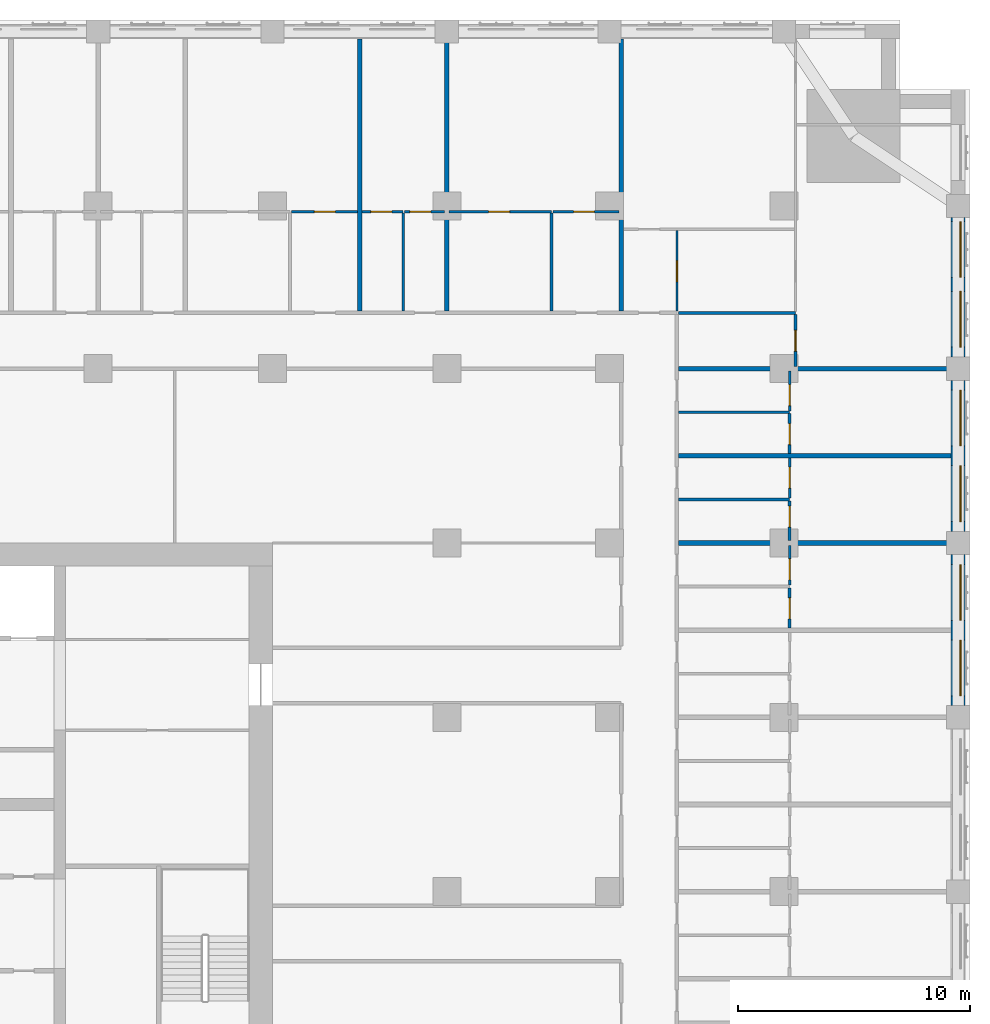
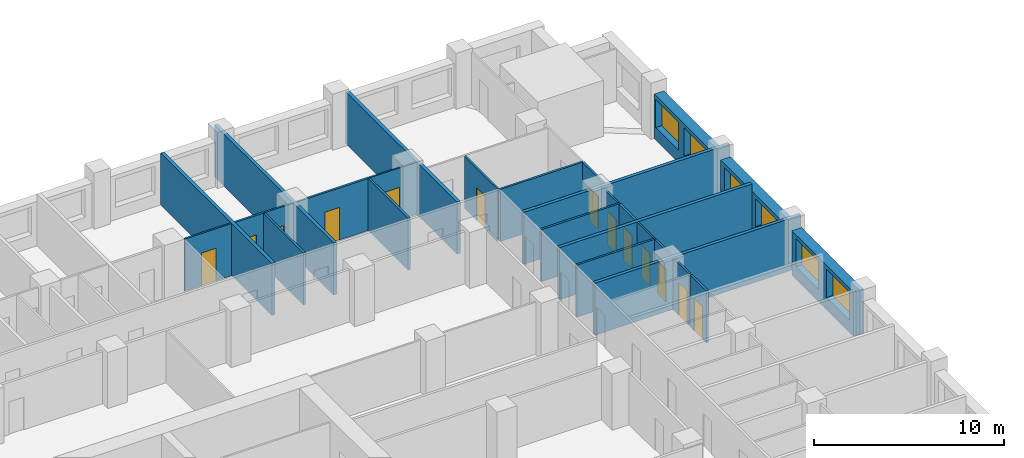
# One storey, part 11 of 15: 27 walls, 13 doors, 6 windows, 19 openings.
"""IFC4 building model written with IfcOpenShell, lengths in metres."""

from ifc_helpers import new_model, si_unit, direction, frame, frame_2d, origin, place, context, subcontext, project, spatial, rectangle, extrude, material, layer, layer_set, type_object, element, fill, save


model = new_model("IFC4")

# Units and contexts
model_context = context("Model", 3, precision=1e-05, world=origin(), true_north=direction((0.0, 1.0)))
body_context = subcontext(model_context, "Body", "Model", "MODEL_VIEW")
ifc_project = project(units=[si_unit("LENGTHUNIT", "METRE"), si_unit("AREAUNIT", "SQUARE_METRE"), si_unit("VOLUMEUNIT", "CUBIC_METRE"), si_unit("PLANEANGLEUNIT", "RADIAN"), si_unit("MASSUNIT", "GRAM", prefix="KILO")], contexts=[model_context])

# Site, building, storey
site_placement = place(None, origin())
site = spatial("IfcSite", under=ifc_project, at=site_placement, CompositionType="ELEMENT")
building_placement = place(site_placement, origin())
building = spatial("IfcBuilding", under=site, at=building_placement, Name="Tamorin Gate", CompositionType="ELEMENT")
storey_placement = place(building_placement, frame((0.0, 0.0, 48.39990234375)))
storey = spatial("IfcBuildingStorey", under=building, at=storey_placement, Name="L10", CompositionType="ELEMENT", Elevation=48.39990234375)

# Wall, openings, windows
ifc_material_1 = material(Name="Precast concrete C40/50", Category="concrete")
ifc_layer_1 = layer(ifc_material_1, 0.60009765625)
ifc_layer_set_1 = layer_set([ifc_layer_1], Name="Precast concrete C40/50")
wall_type_1 = type_object("IfcWallType", Name="Board-marked concrete facade panel 600", PredefinedType="SOLIDWALL", material=ifc_layer_set_1)
wall_1_placement = place(storey_placement, frame((89.5, 75.5, 0.0), z_axis=(0.0, 0.0, 1.0), x_axis=(0.0, 1.0, 0.0)))
wall_1 = element("IfcWall", 1, at=wall_1_placement, inside=storey, type_object=wall_type_1, Name="Facade panel", PredefinedType="SOLIDWALL", context=body_context, shape_type="SweptSolid", body=[
    extrude(rectangle(XDim=6.5, YDim=0.60009765625, at=frame_2d((3.25, 0.0))), origin(), (0.0, 0.0, 1.0), 2.85009765625),
])
opening_1_placement = place(wall_1_placement, frame((0.425048828125, 0.0, 0.800048828125)))
opening_1 = element("IfcOpeningElement", 2, at=opening_1_placement, cuts=wall_1, Name="Opening WN1", PredefinedType="OPENING", context=body_context, shape_type="SweptSolid", body=[
    extrude(rectangle(XDim=2.39990234375, YDim=1.800048828125, at=frame_2d((1.199951171875, 0.89990234375))), frame((0.0, 0.31005859375, 0.0), z_axis=(0.0, -1.0, 0.0), x_axis=(1.0, 0.0, 0.0)), (0.0, 0.0, 1.0), 0.6201171875),
])
opening_2_placement = place(wall_1_placement, frame((3.675048828125, 0.0, 0.800048828125)))
opening_2 = element("IfcOpeningElement", 3, at=opening_2_placement, cuts=wall_1, Name="Opening WN1", PredefinedType="OPENING", context=body_context, shape_type="SweptSolid", body=[
    extrude(rectangle(XDim=2.39990234375, YDim=1.800048828125, at=frame_2d((1.199951171875, 0.89990234375))), frame((0.0, 0.31005859375, 0.0), z_axis=(0.0, -1.0, 0.0), x_axis=(1.0, 0.0, 0.0)), (0.0, 0.0, 1.0), 0.6201171875),
])
ifc_material_2 = material(Name="Clear glass in aluminium frame", Category="aluminium")
window_type = type_object("IfcWindowType", Name="Deep-set window 2400x1800", PartitioningType="SINGLE_PANEL", PredefinedType="WINDOW", material=ifc_material_2)
window_1_placement = place(opening_1_placement, origin())
window_1 = element("IfcWindow", 4, at=window_1_placement, inside=storey, type_object=window_type, Name="Deep-set window", OverallHeight=1.800048828125, OverallWidth=2.39990234375, PartitioningType="SINGLE_PANEL", PredefinedType="WINDOW", context=body_context, shape_type="SweptSolid", body=[
    extrude(rectangle(XDim=2.39990234375, YDim=1.800048828125, at=frame_2d((1.199951171875, 0.89990234375))), frame((0.0, -0.070068359375, 0.0), z_axis=(0.0, -1.0, 0.0), x_axis=(1.0, 0.0, 0.0)), (0.0, 0.0, 1.0), 0.06005859375),
])
fill(opening_1, window_1)
window_2_placement = place(opening_2_placement, origin())
window_2 = element("IfcWindow", 5, at=window_2_placement, inside=storey, type_object=window_type, Name="Deep-set window", OverallHeight=1.800048828125, OverallWidth=2.39990234375, PartitioningType="SINGLE_PANEL", PredefinedType="WINDOW", context=body_context, shape_type="SweptSolid", body=[
    extrude(rectangle(XDim=2.39990234375, YDim=1.800048828125, at=frame_2d((1.199951171875, 0.89990234375))), frame((0.0, -0.070068359375, 0.0), z_axis=(0.0, -1.0, 0.0), x_axis=(1.0, 0.0, 0.0)), (0.0, 0.0, 1.0), 0.06005859375),
])
fill(opening_2, window_2)

wall_2_placement = place(storey_placement, frame((89.5, 83.0, 0.0), z_axis=(0.0, 0.0, 1.0), x_axis=(0.0, 1.0, 0.0)))
wall_2 = element("IfcWall", 6, at=wall_2_placement, inside=storey, type_object=wall_type_1, Name="Facade panel", PredefinedType="SOLIDWALL", context=body_context, shape_type="SweptSolid", body=[
    extrude(rectangle(XDim=6.5, YDim=0.60009765625, at=frame_2d((3.25, 0.0))), origin(), (0.0, 0.0, 1.0), 2.85009765625),
])
opening_3_placement = place(wall_2_placement, frame((0.425048828125, 0.0, 0.800048828125)))
opening_3 = element("IfcOpeningElement", 7, at=opening_3_placement, cuts=wall_2, Name="Opening WN1", PredefinedType="OPENING", context=body_context, shape_type="SweptSolid", body=[
    extrude(rectangle(XDim=2.39990234375, YDim=1.800048828125, at=frame_2d((1.199951171875, 0.89990234375))), frame((0.0, 0.31005859375, 0.0), z_axis=(0.0, -1.0, 0.0), x_axis=(1.0, 0.0, 0.0)), (0.0, 0.0, 1.0), 0.6201171875),
])
opening_4_placement = place(wall_2_placement, frame((3.675048828125, 0.0, 0.800048828125)))
opening_4 = element("IfcOpeningElement", 8, at=opening_4_placement, cuts=wall_2, Name="Opening WN1", PredefinedType="OPENING", context=body_context, shape_type="SweptSolid", body=[
    extrude(rectangle(XDim=2.39990234375, YDim=1.800048828125, at=frame_2d((1.199951171875, 0.89990234375))), frame((0.0, 0.31005859375, 0.0), z_axis=(0.0, -1.0, 0.0), x_axis=(1.0, 0.0, 0.0)), (0.0, 0.0, 1.0), 0.6201171875),
])
window_3_placement = place(opening_3_placement, origin())
window_3 = element("IfcWindow", 9, at=window_3_placement, inside=storey, type_object=window_type, Name="Deep-set window", OverallHeight=1.800048828125, OverallWidth=2.39990234375, PartitioningType="SINGLE_PANEL", PredefinedType="WINDOW", context=body_context, shape_type="SweptSolid", body=[
    extrude(rectangle(XDim=2.39990234375, YDim=1.800048828125, at=frame_2d((1.199951171875, 0.89990234375))), frame((0.0, -0.070068359375, 0.0), z_axis=(0.0, -1.0, 0.0), x_axis=(1.0, 0.0, 0.0)), (0.0, 0.0, 1.0), 0.06005859375),
])
fill(opening_3, window_3)
window_4_placement = place(opening_4_placement, origin())
window_4 = element("IfcWindow", 10, at=window_4_placement, inside=storey, type_object=window_type, Name="Deep-set window", OverallHeight=1.800048828125, OverallWidth=2.39990234375, PartitioningType="SINGLE_PANEL", PredefinedType="WINDOW", context=body_context, shape_type="SweptSolid", body=[
    extrude(rectangle(XDim=2.39990234375, YDim=1.800048828125, at=frame_2d((1.199951171875, 0.89990234375))), frame((0.0, -0.070068359375, 0.0), z_axis=(0.0, -1.0, 0.0), x_axis=(1.0, 0.0, 0.0)), (0.0, 0.0, 1.0), 0.06005859375),
])
fill(opening_4, window_4)

wall_3_placement = place(storey_placement, frame((89.5, 90.5, 0.0), z_axis=(0.0, 0.0, 1.0), x_axis=(0.0, 1.0, 0.0)))
wall_3 = element("IfcWall", 11, at=wall_3_placement, inside=storey, type_object=wall_type_1, Name="Facade panel", PredefinedType="SOLIDWALL", context=body_context, shape_type="SweptSolid", body=[
    extrude(rectangle(XDim=6.0, YDim=0.60009765625, at=frame_2d((3.0, 0.0))), origin(), (0.0, 0.0, 1.0), 2.85009765625),
])
opening_5_placement = place(wall_3_placement, frame((0.425048828125, 0.0, 0.800048828125)))
opening_5 = element("IfcOpeningElement", 12, at=opening_5_placement, cuts=wall_3, Name="Opening WN1", PredefinedType="OPENING", context=body_context, shape_type="SweptSolid", body=[
    extrude(rectangle(XDim=2.39990234375, YDim=1.800048828125, at=frame_2d((1.199951171875, 0.89990234375))), frame((0.0, 0.31005859375, 0.0), z_axis=(0.0, -1.0, 0.0), x_axis=(1.0, 0.0, 0.0)), (0.0, 0.0, 1.0), 0.6201171875),
])
opening_6_placement = place(wall_3_placement, frame((3.425048828125, 0.0, 0.800048828125)))
opening_6 = element("IfcOpeningElement", 13, at=opening_6_placement, cuts=wall_3, Name="Opening WN1", PredefinedType="OPENING", context=body_context, shape_type="SweptSolid", body=[
    extrude(rectangle(XDim=2.39990234375, YDim=1.800048828125, at=frame_2d((1.199951171875, 0.89990234375))), frame((0.0, 0.31005859375, 0.0), z_axis=(0.0, -1.0, 0.0), x_axis=(1.0, 0.0, 0.0)), (0.0, 0.0, 1.0), 0.6201171875),
])
window_5_placement = place(opening_5_placement, origin())
window_5 = element("IfcWindow", 14, at=window_5_placement, inside=storey, type_object=window_type, Name="Deep-set window", OverallHeight=1.800048828125, OverallWidth=2.39990234375, PartitioningType="SINGLE_PANEL", PredefinedType="WINDOW", context=body_context, shape_type="SweptSolid", body=[
    extrude(rectangle(XDim=2.39990234375, YDim=1.800048828125, at=frame_2d((1.199951171875, 0.89990234375))), frame((0.0, -0.070068359375, 0.0), z_axis=(0.0, -1.0, 0.0), x_axis=(1.0, 0.0, 0.0)), (0.0, 0.0, 1.0), 0.06005859375),
])
fill(opening_5, window_5)
window_6_placement = place(opening_6_placement, origin())
window_6 = element("IfcWindow", 15, at=window_6_placement, inside=storey, type_object=window_type, Name="Deep-set window", OverallHeight=1.800048828125, OverallWidth=2.39990234375, PartitioningType="SINGLE_PANEL", PredefinedType="WINDOW", context=body_context, shape_type="SweptSolid", body=[
    extrude(rectangle(XDim=2.39990234375, YDim=1.800048828125, at=frame_2d((1.199951171875, 0.89990234375))), frame((0.0, -0.070068359375, 0.0), z_axis=(0.0, -1.0, 0.0), x_axis=(1.0, 0.0, 0.0)), (0.0, 0.0, 1.0), 0.06005859375),
])
fill(opening_6, window_6)

# Walls
ifc_material_3 = material(Name="Gypsum board partition")
ifc_layer_2 = layer(ifc_material_3, 0.199951171875)
ifc_layer_set_2 = layer_set([ifc_layer_2], Name="Demising wall 200")
wall_type_2 = type_object("IfcWallType", Name="Demising wall 200", PredefinedType="PARTITIONING", material=ifc_layer_set_2)
wall_4_placement = place(storey_placement, frame((77.47509765625, 82.5, 0.0), z_axis=(0.0, 0.0, 1.0), x_axis=(1.0, 0.0, 0.0)))
element("IfcWall", 16, at=wall_4_placement, inside=storey, type_object=wall_type_2, Name="Demising wall 200", PredefinedType="PARTITIONING", context=body_context, shape_type="SweptSolid", body=[
    extrude(rectangle(XDim=12.52490234375, YDim=0.199951171875, at=frame_2d((6.262451171875, 0.0))), origin(), (0.0, 0.0, 1.0), 3.35009765625),
])
wall_5_placement = place(storey_placement, frame((77.47509765625, 86.25, 0.0), z_axis=(0.0, 0.0, 1.0), x_axis=(1.0, 0.0, 0.0)))
element("IfcWall", 17, at=wall_5_placement, inside=storey, type_object=wall_type_2, Name="Demising wall 200", PredefinedType="PARTITIONING", context=body_context, shape_type="SweptSolid", body=[
    extrude(rectangle(XDim=11.71484375, YDim=0.199951171875, at=frame_2d((5.857421875, 0.0))), origin(), (0.0, 0.0, 1.0), 3.35009765625),
])
wall_6_placement = place(storey_placement, frame((77.47509765625, 90.0, 0.0), z_axis=(0.0, 0.0, 1.0), x_axis=(1.0, 0.0, 0.0)))
element("IfcWall", 18, at=wall_6_placement, inside=storey, type_object=wall_type_2, Name="Demising wall 200", PredefinedType="PARTITIONING", context=body_context, shape_type="SweptSolid", body=[
    extrude(rectangle(XDim=12.52490234375, YDim=0.199951171875, at=frame_2d((6.262451171875, 0.0))), origin(), (0.0, 0.0, 1.0), 3.35009765625),
])
wall_7_placement = place(storey_placement, frame((63.75, 92.47509765625, 0.0), z_axis=(0.0, 0.0, 1.0), x_axis=(0.0, 1.0, 0.0)))
element("IfcWall", 19, at=wall_7_placement, inside=storey, type_object=wall_type_2, Name="Demising wall 200", PredefinedType="PARTITIONING", context=body_context, shape_type="SweptSolid", body=[
    extrude(rectangle(XDim=11.71484375, YDim=0.199951171875, at=frame_2d((5.857421875, 0.0))), origin(), (0.0, 0.0, 1.0), 3.35009765625),
])
wall_8_placement = place(storey_placement, frame((67.5, 92.47509765625, 0.0), z_axis=(0.0, 0.0, 1.0), x_axis=(0.0, 1.0, 0.0)))
element("IfcWall", 20, at=wall_8_placement, inside=storey, type_object=wall_type_2, Name="Demising wall 200", PredefinedType="PARTITIONING", context=body_context, shape_type="SweptSolid", body=[
    extrude(rectangle(XDim=12.52490234375, YDim=0.199951171875, at=frame_2d((6.262451171875, 0.0))), origin(), (0.0, 0.0, 1.0), 3.35009765625),
])
wall_9_placement = place(storey_placement, frame((75.0, 92.47509765625, 0.0), z_axis=(0.0, 0.0, 1.0), x_axis=(0.0, 1.0, 0.0)))
element("IfcWall", 21, at=wall_9_placement, inside=storey, type_object=wall_type_2, Name="Demising wall 200", PredefinedType="PARTITIONING", context=body_context, shape_type="SweptSolid", body=[
    extrude(rectangle(XDim=11.71484375, YDim=0.199951171875, at=frame_2d((5.857421875, 0.0))), origin(), (0.0, 0.0, 1.0), 3.35009765625),
])

# Wall, opening, door
ifc_layer_3 = layer(ifc_material_3, 0.10009765625)
ifc_layer_set_3 = layer_set([ifc_layer_3], Name="Room partition 100")
wall_type_3 = type_object("IfcWallType", Name="Room partition 100", PredefinedType="PARTITIONING", material=ifc_layer_set_3)
wall_10_placement = place(storey_placement, frame((60.8125, 96.75, 0.0), z_axis=(0.0, 0.0, 1.0), x_axis=(1.0, 0.0, 0.0)))
wall_10 = element("IfcWall", 22, at=wall_10_placement, inside=storey, type_object=wall_type_3, Name="Room partition 100", PredefinedType="PARTITIONING", context=body_context, shape_type="SweptSolid", body=[
    extrude(rectangle(XDim=2.83740234375, YDim=0.10009765625, at=frame_2d((1.418701171875, 0.0))), origin(), (0.0, 0.0, 1.0), 3.35009765625),
])
opening_7_placement = place(wall_10_placement, frame((0.987548828125, 0.0, 0.0)))
opening_7 = element("IfcOpeningElement", 23, at=opening_7_placement, cuts=wall_10, Name="Opening DH1044", PredefinedType="OPENING", context=body_context, shape_type="SweptSolid", body=[
    extrude(rectangle(XDim=0.89990234375, YDim=2.10009765625, at=frame_2d((0.449951171875, 1.050048828125))), frame((0.0, 0.06005859375, 0.0), z_axis=(0.0, -1.0, 0.0), x_axis=(1.0, 0.0, 0.0)), (0.0, 0.0, 1.0), 0.1201171875),
])
ifc_material_4 = material(Name="Timber door leaf", Category="wood")
door_type = type_object("IfcDoorType", Name="Door 900 x 2100", OperationType="NOTDEFINED", PredefinedType="DOOR", material=ifc_material_4)
door_1_placement = place(opening_7_placement, origin())
door_1 = element("IfcDoor", 24, at=door_1_placement, inside=storey, type_object=door_type, Name="Door DH1044", OperationType="SINGLE_SWING_RIGHT", OverallHeight=2.10009765625, OverallWidth=0.89990234375, PredefinedType="DOOR", context=body_context, shape_type="SweptSolid", body=[
    extrude(rectangle(XDim=0.89990234375, YDim=2.10009765625, at=frame_2d((0.449951171875, 1.050048828125))), frame((0.0, 0.02490234375, 0.0), z_axis=(0.0, -1.0, 0.0), x_axis=(1.0, 0.0, 0.0)), (0.0, 0.0, 1.0), 0.050048828125),
])
fill(opening_7, door_1)

wall_11_placement = place(storey_placement, frame((65.6875, 96.75, 0.0), z_axis=(0.0, 0.0, 1.0), x_axis=(1.0, 0.0, 0.0)))
wall_11 = element("IfcWall", 25, at=wall_11_placement, inside=storey, type_object=wall_type_3, Name="Room partition 100", PredefinedType="PARTITIONING", context=body_context, shape_type="SweptSolid", body=[
    extrude(rectangle(XDim=1.71240234375, YDim=0.10009765625, at=frame_2d((0.856201171875, 0.0))), origin(), (0.0, 0.0, 1.0), 3.35009765625),
])
opening_8_placement = place(wall_11_placement, frame((0.22509765625, 0.0, 0.0)))
opening_8 = element("IfcOpeningElement", 26, at=opening_8_placement, cuts=wall_11, Name="Opening DH1047", PredefinedType="OPENING", context=body_context, shape_type="SweptSolid", body=[
    extrude(rectangle(XDim=0.89990234375, YDim=2.10009765625, at=frame_2d((0.449951171875, 1.050048828125))), frame((0.0, 0.06005859375, 0.0), z_axis=(0.0, -1.0, 0.0), x_axis=(1.0, 0.0, 0.0)), (0.0, 0.0, 1.0), 0.1201171875),
])
door_2_placement = place(opening_8_placement, origin())
door_2 = element("IfcDoor", 27, at=door_2_placement, inside=storey, type_object=door_type, Name="Door DH1047", OperationType="SINGLE_SWING_RIGHT", OverallHeight=2.10009765625, OverallWidth=0.89990234375, PredefinedType="DOOR", context=body_context, shape_type="SweptSolid", body=[
    extrude(rectangle(XDim=0.89990234375, YDim=2.10009765625, at=frame_2d((0.449951171875, 1.050048828125))), frame((0.0, 0.02490234375, 0.0), z_axis=(0.0, -1.0, 0.0), x_axis=(1.0, 0.0, 0.0)), (0.0, 0.0, 1.0), 0.050048828125),
])
fill(opening_8, door_2)

wall_12_placement = place(storey_placement, frame((72.0625, 96.75, 0.0), z_axis=(0.0, 0.0, 1.0), x_axis=(1.0, 0.0, 0.0)))
wall_12 = element("IfcWall", 28, at=wall_12_placement, inside=storey, type_object=wall_type_3, Name="Room partition 100", PredefinedType="PARTITIONING", context=body_context, shape_type="SweptSolid", body=[
    extrude(rectangle(XDim=2.83740234375, YDim=0.10009765625, at=frame_2d((1.418701171875, 0.0))), origin(), (0.0, 0.0, 1.0), 3.35009765625),
])
opening_9_placement = place(wall_12_placement, frame((0.887451171875, 0.0, 0.0)))
opening_9 = element("IfcOpeningElement", 29, at=opening_9_placement, cuts=wall_12, Name="Opening DH1050", PredefinedType="OPENING", context=body_context, shape_type="SweptSolid", body=[
    extrude(rectangle(XDim=0.89990234375, YDim=2.10009765625, at=frame_2d((0.449951171875, 1.050048828125))), frame((0.0, 0.06005859375, 0.0), z_axis=(0.0, -1.0, 0.0), x_axis=(1.0, 0.0, 0.0)), (0.0, 0.0, 1.0), 0.1201171875),
])
door_3_placement = place(opening_9_placement, origin())
door_3 = element("IfcDoor", 30, at=door_3_placement, inside=storey, type_object=door_type, Name="Door DH1050", OperationType="SINGLE_SWING_RIGHT", OverallHeight=2.10009765625, OverallWidth=0.89990234375, PredefinedType="DOOR", context=body_context, shape_type="SweptSolid", body=[
    extrude(rectangle(XDim=0.89990234375, YDim=2.10009765625, at=frame_2d((0.449951171875, 1.050048828125))), frame((0.0, 0.02490234375, 0.0), z_axis=(0.0, -1.0, 0.0), x_axis=(1.0, 0.0, 0.0)), (0.0, 0.0, 1.0), 0.050048828125),
])
fill(opening_9, door_3)

wall_13_placement = place(storey_placement, frame((77.39990234375, 92.47509765625, 0.0), z_axis=(0.0, 0.0, 1.0), x_axis=(0.0, 1.0, 0.0)))
wall_13 = element("IfcWall", 31, at=wall_13_placement, inside=storey, type_object=wall_type_3, Name="Room partition 100", PredefinedType="PARTITIONING", context=body_context, shape_type="SweptSolid", body=[
    extrude(rectangle(XDim=3.474853515625, YDim=0.10009765625, at=frame_2d((1.7373046875, 0.0))), origin(), (0.0, 0.0, 1.0), 3.35009765625),
])
opening_10_placement = place(wall_13_placement, frame((1.27490234375, 0.0, 0.0)))
opening_10 = element("IfcOpeningElement", 32, at=opening_10_placement, cuts=wall_13, Name="Opening DH1089", PredefinedType="OPENING", context=body_context, shape_type="SweptSolid", body=[
    extrude(rectangle(XDim=0.89990234375, YDim=2.10009765625, at=frame_2d((0.449951171875, 1.050048828125))), frame((0.0, 0.06005859375, 0.0), z_axis=(0.0, -1.0, 0.0), x_axis=(1.0, 0.0, 0.0)), (0.0, 0.0, 1.0), 0.1201171875),
])
door_4_placement = place(opening_10_placement, origin())
door_4 = element("IfcDoor", 33, at=door_4_placement, inside=storey, type_object=door_type, Name="Door DH1089", OperationType="SINGLE_SWING_RIGHT", OverallHeight=2.10009765625, OverallWidth=0.89990234375, PredefinedType="DOOR", context=body_context, shape_type="SweptSolid", body=[
    extrude(rectangle(XDim=0.89990234375, YDim=2.10009765625, at=frame_2d((0.449951171875, 1.050048828125))), frame((0.0, 0.02490234375, 0.0), z_axis=(0.0, -1.0, 0.0), x_axis=(1.0, 0.0, 0.0)), (0.0, 0.0, 1.0), 0.050048828125),
])
fill(opening_10, door_4)

wall_14_placement = place(storey_placement, frame((82.25, 80.6875, 0.0), z_axis=(0.0, 0.0, 1.0), x_axis=(0.0, 1.0, 0.0)))
wall_14 = element("IfcWall", 34, at=wall_14_placement, inside=storey, type_object=wall_type_3, Name="Room partition 100", PredefinedType="PARTITIONING", context=body_context, shape_type="SweptSolid", body=[
    extrude(rectangle(XDim=1.71240234375, YDim=0.10009765625, at=frame_2d((0.856201171875, 0.0))), origin(), (0.0, 0.0, 1.0), 3.35009765625),
])
opening_11_placement = place(wall_14_placement, frame((0.22509765625, 0.0, 0.0)))
opening_11 = element("IfcOpeningElement", 35, at=opening_11_placement, cuts=wall_14, Name="Opening DH1074", PredefinedType="OPENING", context=body_context, shape_type="SweptSolid", body=[
    extrude(rectangle(XDim=0.89990234375, YDim=2.10009765625, at=frame_2d((0.449951171875, 1.050048828125))), frame((0.0, 0.06005859375, 0.0), z_axis=(0.0, -1.0, 0.0), x_axis=(1.0, 0.0, 0.0)), (0.0, 0.0, 1.0), 0.1201171875),
])
door_5_placement = place(opening_11_placement, origin())
door_5 = element("IfcDoor", 36, at=door_5_placement, inside=storey, type_object=door_type, Name="Door DH1074", OperationType="SINGLE_SWING_LEFT", OverallHeight=2.10009765625, OverallWidth=0.89990234375, PredefinedType="DOOR", context=body_context, shape_type="SweptSolid", body=[
    extrude(rectangle(XDim=0.89990234375, YDim=2.10009765625, at=frame_2d((0.449951171875, 1.050048828125))), frame((0.0, 0.02490234375, 0.0), z_axis=(0.0, -1.0, 0.0), x_axis=(1.0, 0.0, 0.0)), (0.0, 0.0, 1.0), 0.050048828125),
])
fill(opening_11, door_5)

wall_15_placement = place(storey_placement, frame((82.25, 84.4375, 0.0), z_axis=(0.0, 0.0, 1.0), x_axis=(0.0, 1.0, 0.0)))
wall_15 = element("IfcWall", 37, at=wall_15_placement, inside=storey, type_object=wall_type_3, Name="Room partition 100", PredefinedType="PARTITIONING", context=body_context, shape_type="SweptSolid", body=[
    extrude(rectangle(XDim=1.71240234375, YDim=0.10009765625, at=frame_2d((0.856201171875, 0.0))), origin(), (0.0, 0.0, 1.0), 3.35009765625),
])
opening_12_placement = place(wall_15_placement, frame((0.425048828125, 0.0, 0.0)))
opening_12 = element("IfcOpeningElement", 38, at=opening_12_placement, cuts=wall_15, Name="Opening DH1077", PredefinedType="OPENING", context=body_context, shape_type="SweptSolid", body=[
    extrude(rectangle(XDim=0.89990234375, YDim=2.10009765625, at=frame_2d((0.449951171875, 1.050048828125))), frame((0.0, 0.06005859375, 0.0), z_axis=(0.0, -1.0, 0.0), x_axis=(1.0, 0.0, 0.0)), (0.0, 0.0, 1.0), 0.1201171875),
])
door_6_placement = place(opening_12_placement, origin())
door_6 = element("IfcDoor", 39, at=door_6_placement, inside=storey, type_object=door_type, Name="Door DH1077", OperationType="SINGLE_SWING_LEFT", OverallHeight=2.10009765625, OverallWidth=0.89990234375, PredefinedType="DOOR", context=body_context, shape_type="SweptSolid", body=[
    extrude(rectangle(XDim=0.89990234375, YDim=2.10009765625, at=frame_2d((0.449951171875, 1.050048828125))), frame((0.0, 0.02490234375, 0.0), z_axis=(0.0, -1.0, 0.0), x_axis=(1.0, 0.0, 0.0)), (0.0, 0.0, 1.0), 0.050048828125),
])
fill(opening_12, door_6)

wall_16_placement = place(storey_placement, frame((82.25, 88.1875, 0.0), z_axis=(0.0, 0.0, 1.0), x_axis=(0.0, 1.0, 0.0)))
wall_16 = element("IfcWall", 40, at=wall_16_placement, inside=storey, type_object=wall_type_3, Name="Room partition 100", PredefinedType="PARTITIONING", context=body_context, shape_type="SweptSolid", body=[
    extrude(rectangle(XDim=1.71240234375, YDim=0.10009765625, at=frame_2d((0.856201171875, 0.0))), origin(), (0.0, 0.0, 1.0), 3.35009765625),
])
opening_13_placement = place(wall_16_placement, frame((0.22509765625, 0.0, 0.0)))
opening_13 = element("IfcOpeningElement", 41, at=opening_13_placement, cuts=wall_16, Name="Opening DH1080", PredefinedType="OPENING", context=body_context, shape_type="SweptSolid", body=[
    extrude(rectangle(XDim=0.89990234375, YDim=2.10009765625, at=frame_2d((0.449951171875, 1.050048828125))), frame((0.0, 0.06005859375, 0.0), z_axis=(0.0, -1.0, 0.0), x_axis=(1.0, 0.0, 0.0)), (0.0, 0.0, 1.0), 0.1201171875),
])
door_7_placement = place(opening_13_placement, origin())
door_7 = element("IfcDoor", 42, at=door_7_placement, inside=storey, type_object=door_type, Name="Door DH1080", OperationType="SINGLE_SWING_LEFT", OverallHeight=2.10009765625, OverallWidth=0.89990234375, PredefinedType="DOOR", context=body_context, shape_type="SweptSolid", body=[
    extrude(rectangle(XDim=0.89990234375, YDim=2.10009765625, at=frame_2d((0.449951171875, 1.050048828125))), frame((0.0, 0.02490234375, 0.0), z_axis=(0.0, -1.0, 0.0), x_axis=(1.0, 0.0, 0.0)), (0.0, 0.0, 1.0), 0.050048828125),
])
fill(opening_13, door_7)

# Walls
ifc_layer_4 = layer(ifc_material_3, 0.125)
ifc_layer_set_4 = layer_set([ifc_layer_4], Name="Wet wall 125")
wall_type_4 = type_object("IfcWallType", Name="Wet wall 125", PredefinedType="PARTITIONING", material=ifc_layer_set_4)
for number, where, z_axis, x_axis, name in (
    (43, (77.47509765625, 84.375, 0.0), (0.0, 0.0, 1.0), (1.0, 0.0, 0.0), "Wet wall 125"),
    (44, (77.47509765625, 88.125, 0.0), (0.0, 0.0, 1.0), (1.0, 0.0, 0.0), "Wet wall 125"),
):
    element("IfcWall", number, at=place(storey_placement, frame(where, z_axis=z_axis, x_axis=x_axis)), inside=storey, type_object=wall_type_4, Name=name, PredefinedType="PARTITIONING", context=body_context, shape_type="SweptSolid", body=[
        extrude(rectangle(XDim=4.77490234375, YDim=0.125, at=frame_2d((2.387451171875, 0.0))), origin(), (0.0, 0.0, 1.0), 3.35009765625),
    ])
wall_17_placement = place(storey_placement, frame((77.47509765625, 92.39990234375, 0.0), z_axis=(0.0, 0.0, 1.0), x_axis=(1.0, 0.0, 0.0)))
element("IfcWall", 45, at=wall_17_placement, inside=storey, type_object=wall_type_4, Name="Wet wall 125", PredefinedType="PARTITIONING", context=body_context, shape_type="SweptSolid", body=[
    extrude(rectangle(XDim=5.02490234375, YDim=0.125, at=frame_2d((2.512451171875, 0.0))), origin(), (0.0, 0.0, 1.0), 3.35009765625),
])

# Wall, opening, door
wall_18_placement = place(storey_placement, frame((63.85009765625, 96.75, 0.0), z_axis=(0.0, 0.0, 1.0), x_axis=(1.0, 0.0, 0.0)))
wall_18 = element("IfcWall", 46, at=wall_18_placement, inside=storey, type_object=wall_type_4, Name="Wet wall 125", PredefinedType="PARTITIONING", context=body_context, shape_type="SweptSolid", body=[
    extrude(rectangle(XDim=1.77490234375, YDim=0.125, at=frame_2d((0.887451171875, 0.0))), origin(), (0.0, 0.0, 1.0), 3.35009765625),
])
opening_14_placement = place(wall_18_placement, frame((0.387451171875, 0.0, 0.0)))
opening_14 = element("IfcOpeningElement", 47, at=opening_14_placement, cuts=wall_18, Name="Opening DH1045", PredefinedType="OPENING", context=body_context, shape_type="SweptSolid", body=[
    extrude(rectangle(XDim=0.89990234375, YDim=2.10009765625, at=frame_2d((0.449951171875, 1.050048828125))), frame((0.0, 0.072509765625, 0.0), z_axis=(0.0, -1.0, 0.0), x_axis=(1.0, 0.0, 0.0)), (0.0, 0.0, 1.0), 0.14501953125),
])
door_8_placement = place(opening_14_placement, origin())
door_8 = element("IfcDoor", 48, at=door_8_placement, inside=storey, type_object=door_type, Name="Door DH1045", OperationType="SINGLE_SWING_RIGHT", OverallHeight=2.10009765625, OverallWidth=0.89990234375, PredefinedType="DOOR", context=body_context, shape_type="SweptSolid", body=[
    extrude(rectangle(XDim=0.89990234375, YDim=2.10009765625, at=frame_2d((0.449951171875, 1.050048828125))), frame((0.0, 0.02490234375, 0.0), z_axis=(0.0, -1.0, 0.0), x_axis=(1.0, 0.0, 0.0)), (0.0, 0.0, 1.0), 0.050048828125),
])
fill(opening_14, door_8)

wall_19_placement = place(storey_placement, frame((67.60009765625, 96.75, 0.0), z_axis=(0.0, 0.0, 1.0), x_axis=(1.0, 0.0, 0.0)))
wall_19 = element("IfcWall", 49, at=wall_19_placement, inside=storey, type_object=wall_type_4, Name="Wet wall 125", PredefinedType="PARTITIONING", context=body_context, shape_type="SweptSolid", body=[
    extrude(rectangle(XDim=4.39990234375, YDim=0.125, at=frame_2d((2.199951171875, 0.0))), origin(), (0.0, 0.0, 1.0), 3.35009765625),
])
opening_15_placement = place(wall_19_placement, frame((1.699951171875, 0.0, 0.0)))
opening_15 = element("IfcOpeningElement", 50, at=opening_15_placement, cuts=wall_19, Name="Opening DH1048", PredefinedType="OPENING", context=body_context, shape_type="SweptSolid", body=[
    extrude(rectangle(XDim=0.89990234375, YDim=2.10009765625, at=frame_2d((0.449951171875, 1.050048828125))), frame((0.0, 0.072509765625, 0.0), z_axis=(0.0, -1.0, 0.0), x_axis=(1.0, 0.0, 0.0)), (0.0, 0.0, 1.0), 0.14501953125),
])
door_9_placement = place(opening_15_placement, origin())
door_9 = element("IfcDoor", 51, at=door_9_placement, inside=storey, type_object=door_type, Name="Door DH1048", OperationType="SINGLE_SWING_RIGHT", OverallHeight=2.10009765625, OverallWidth=0.89990234375, PredefinedType="DOOR", context=body_context, shape_type="SweptSolid", body=[
    extrude(rectangle(XDim=0.89990234375, YDim=2.10009765625, at=frame_2d((0.449951171875, 1.050048828125))), frame((0.0, 0.02490234375, 0.0), z_axis=(0.0, -1.0, 0.0), x_axis=(1.0, 0.0, 0.0)), (0.0, 0.0, 1.0), 0.050048828125),
])
fill(opening_15, door_9)

# Walls
for number, where, z_axis, x_axis, name in (
    (52, (65.625, 92.47509765625, 0.0), (0.0, 0.0, 1.0), (0.0, 1.0, 0.0), "Wet wall 125"),
    (53, (72.0, 92.47509765625, 0.0), (0.0, 0.0, 1.0), (0.0, 1.0, 0.0), "Wet wall 125"),
):
    element("IfcWall", number, at=place(storey_placement, frame(where, z_axis=z_axis, x_axis=x_axis)), inside=storey, type_object=wall_type_4, Name=name, PredefinedType="PARTITIONING", context=body_context, shape_type="SweptSolid", body=[
        extrude(rectangle(XDim=4.21240234375, YDim=0.125, at=frame_2d((2.106201171875, 0.0))), origin(), (0.0, 0.0, 1.0), 3.35009765625),
    ])

# Wall, opening, door
wall_20_placement = place(storey_placement, frame((82.25, 78.85009765625, 0.0), z_axis=(0.0, 0.0, 1.0), x_axis=(0.0, 1.0, 0.0)))
wall_20 = element("IfcWall", 54, at=wall_20_placement, inside=storey, type_object=wall_type_4, Name="Wet wall 125", PredefinedType="PARTITIONING", context=body_context, shape_type="SweptSolid", body=[
    extrude(rectangle(XDim=1.71240234375, YDim=0.125, at=frame_2d((0.856201171875, 0.0))), origin(), (0.0, 0.0, 1.0), 3.35009765625),
])
opening_16_placement = place(wall_20_placement, frame((0.387451171875, 0.0, 0.0)))
opening_16 = element("IfcOpeningElement", 55, at=opening_16_placement, cuts=wall_20, Name="Opening DH1072", PredefinedType="OPENING", context=body_context, shape_type="SweptSolid", body=[
    extrude(rectangle(XDim=0.89990234375, YDim=2.10009765625, at=frame_2d((0.449951171875, 1.050048828125))), frame((0.0, 0.072509765625, 0.0), z_axis=(0.0, -1.0, 0.0), x_axis=(1.0, 0.0, 0.0)), (0.0, 0.0, 1.0), 0.14501953125),
])
door_10_placement = place(opening_16_placement, origin())
door_10 = element("IfcDoor", 56, at=door_10_placement, inside=storey, type_object=door_type, Name="Door DH1072", OperationType="SINGLE_SWING_LEFT", OverallHeight=2.10009765625, OverallWidth=0.89990234375, PredefinedType="DOOR", context=body_context, shape_type="SweptSolid", body=[
    extrude(rectangle(XDim=0.89990234375, YDim=2.10009765625, at=frame_2d((0.449951171875, 1.050048828125))), frame((0.0, 0.02490234375, 0.0), z_axis=(0.0, -1.0, 0.0), x_axis=(1.0, 0.0, 0.0)), (0.0, 0.0, 1.0), 0.050048828125),
])
fill(opening_16, door_10)

wall_21_placement = place(storey_placement, frame((82.25, 82.60009765625, 0.0), z_axis=(0.0, 0.0, 1.0), x_axis=(0.0, 1.0, 0.0)))
wall_21 = element("IfcWall", 57, at=wall_21_placement, inside=storey, type_object=wall_type_4, Name="Wet wall 125", PredefinedType="PARTITIONING", context=body_context, shape_type="SweptSolid", body=[
    extrude(rectangle(XDim=1.71240234375, YDim=0.125, at=frame_2d((0.856201171875, 0.0))), origin(), (0.0, 0.0, 1.0), 3.35009765625),
])
opening_17_placement = place(wall_21_placement, frame((0.58740234375, 0.0, 0.0)))
opening_17 = element("IfcOpeningElement", 58, at=opening_17_placement, cuts=wall_21, Name="Opening DH1075", PredefinedType="OPENING", context=body_context, shape_type="SweptSolid", body=[
    extrude(rectangle(XDim=0.89990234375, YDim=2.10009765625, at=frame_2d((0.449951171875, 1.050048828125))), frame((0.0, 0.072509765625, 0.0), z_axis=(0.0, -1.0, 0.0), x_axis=(1.0, 0.0, 0.0)), (0.0, 0.0, 1.0), 0.14501953125),
])
door_11_placement = place(opening_17_placement, origin())
door_11 = element("IfcDoor", 59, at=door_11_placement, inside=storey, type_object=door_type, Name="Door DH1075", OperationType="SINGLE_SWING_RIGHT", OverallHeight=2.10009765625, OverallWidth=0.89990234375, PredefinedType="DOOR", context=body_context, shape_type="SweptSolid", body=[
    extrude(rectangle(XDim=0.89990234375, YDim=2.10009765625, at=frame_2d((0.449951171875, 1.050048828125))), frame((0.0, 0.02490234375, 0.0), z_axis=(0.0, -1.0, 0.0), x_axis=(1.0, 0.0, 0.0)), (0.0, 0.0, 1.0), 0.050048828125),
])
fill(opening_17, door_11)

wall_22_placement = place(storey_placement, frame((82.25, 86.35009765625, 0.0), z_axis=(0.0, 0.0, 1.0), x_axis=(0.0, 1.0, 0.0)))
wall_22 = element("IfcWall", 60, at=wall_22_placement, inside=storey, type_object=wall_type_4, Name="Wet wall 125", PredefinedType="PARTITIONING", context=body_context, shape_type="SweptSolid", body=[
    extrude(rectangle(XDim=1.71240234375, YDim=0.125, at=frame_2d((0.856201171875, 0.0))), origin(), (0.0, 0.0, 1.0), 3.35009765625),
])
opening_18_placement = place(wall_22_placement, frame((0.387451171875, 0.0, 0.0)))
opening_18 = element("IfcOpeningElement", 61, at=opening_18_placement, cuts=wall_22, Name="Opening DH1078", PredefinedType="OPENING", context=body_context, shape_type="SweptSolid", body=[
    extrude(rectangle(XDim=0.89990234375, YDim=2.10009765625, at=frame_2d((0.449951171875, 1.050048828125))), frame((0.0, 0.072509765625, 0.0), z_axis=(0.0, -1.0, 0.0), x_axis=(1.0, 0.0, 0.0)), (0.0, 0.0, 1.0), 0.14501953125),
])
door_12_placement = place(opening_18_placement, origin())
door_12 = element("IfcDoor", 62, at=door_12_placement, inside=storey, type_object=door_type, Name="Door DH1078", OperationType="SINGLE_SWING_LEFT", OverallHeight=2.10009765625, OverallWidth=0.89990234375, PredefinedType="DOOR", context=body_context, shape_type="SweptSolid", body=[
    extrude(rectangle(XDim=0.89990234375, YDim=2.10009765625, at=frame_2d((0.449951171875, 1.050048828125))), frame((0.0, 0.02490234375, 0.0), z_axis=(0.0, -1.0, 0.0), x_axis=(1.0, 0.0, 0.0)), (0.0, 0.0, 1.0), 0.050048828125),
])
fill(opening_18, door_12)

wall_23_placement = place(storey_placement, frame((82.5, 90.10009765625, 0.0), z_axis=(0.0, 0.0, 1.0), x_axis=(0.0, 1.0, 0.0)))
wall_23 = element("IfcWall", 63, at=wall_23_placement, inside=storey, type_object=wall_type_4, Name="Wet wall 125", PredefinedType="PARTITIONING", context=body_context, shape_type="SweptSolid", body=[
    extrude(rectangle(XDim=2.2373046875, YDim=0.125, at=frame_2d((1.11865234375, 0.0))), origin(), (0.0, 0.0, 1.0), 3.35009765625),
])
opening_19_placement = place(wall_23_placement, frame((0.64990234375, 0.0, 0.0)))
opening_19 = element("IfcOpeningElement", 64, at=opening_19_placement, cuts=wall_23, Name="Opening DH1092", PredefinedType="OPENING", context=body_context, shape_type="SweptSolid", body=[
    extrude(rectangle(XDim=0.89990234375, YDim=2.10009765625, at=frame_2d((0.449951171875, 1.050048828125))), frame((0.0, 0.072509765625, 0.0), z_axis=(0.0, -1.0, 0.0), x_axis=(1.0, 0.0, 0.0)), (0.0, 0.0, 1.0), 0.14501953125),
])
door_13_placement = place(opening_19_placement, origin())
door_13 = element("IfcDoor", 65, at=door_13_placement, inside=storey, type_object=door_type, Name="Door DH1092", OperationType="SINGLE_SWING_LEFT", OverallHeight=2.10009765625, OverallWidth=0.89990234375, PredefinedType="DOOR", context=body_context, shape_type="SweptSolid", body=[
    extrude(rectangle(XDim=0.89990234375, YDim=2.10009765625, at=frame_2d((0.449951171875, 1.050048828125))), frame((0.0, 0.02490234375, 0.0), z_axis=(0.0, -1.0, 0.0), x_axis=(1.0, 0.0, 0.0)), (0.0, 0.0, 1.0), 0.050048828125),
])
fill(opening_19, door_13)

save(model, "model.ifc")
